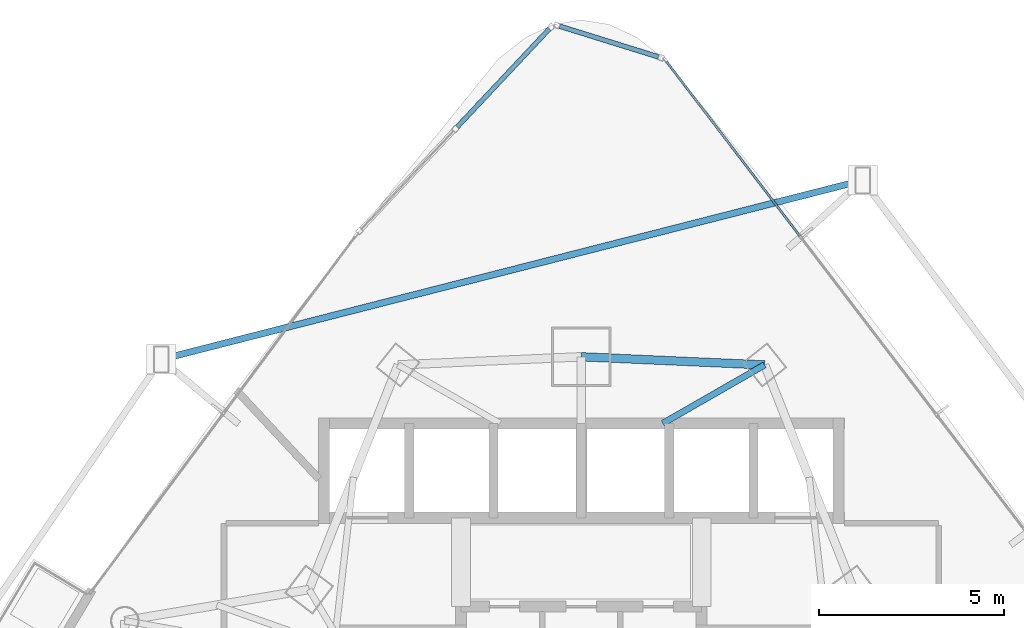
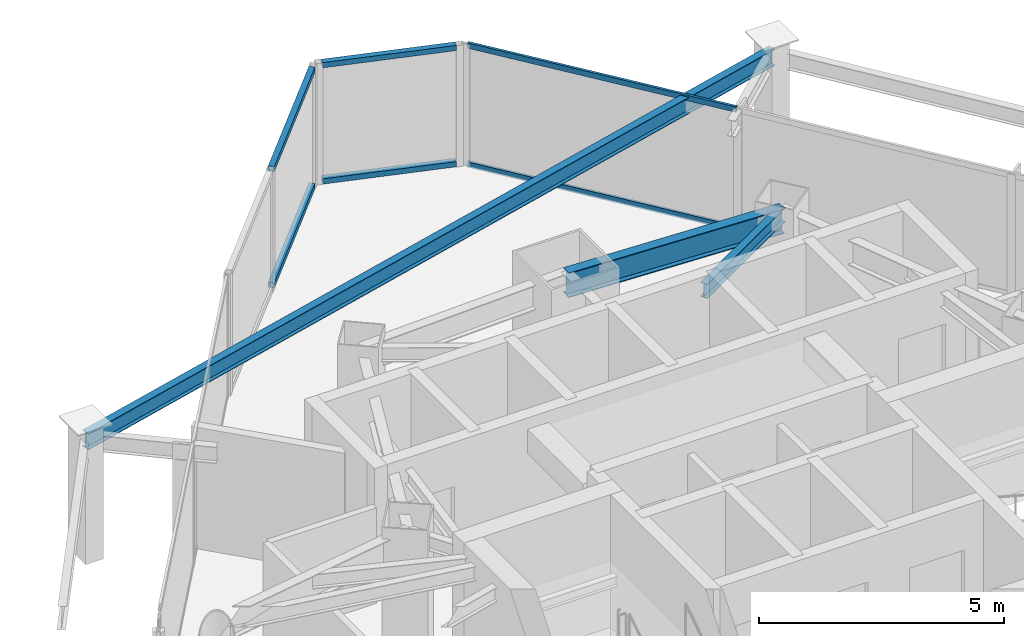
# One storey, part 22 of 33: 6 members, 3 beams, 3 elements without a shape of their own.
"""IFC4 building model written with IfcOpenShell, lengths in metres."""

from ifc_helpers import new_model, si_unit, direction, frame, origin, origin_2d, place, context, subcontext, project, spatial, hollow_rectangle, i_section, extrude, material, layer, layer_set, material_profile, profile_set, type_object, element, aggregate, save


model = new_model("IFC4")

# Units and contexts
model_context = context("Model", 3, precision=1e-05, world=origin(), true_north=direction((0.0, 1.0)))
body_context = subcontext(model_context, "Body", "Model", "MODEL_VIEW")
ifc_project = project(units=[si_unit("LENGTHUNIT", "METRE"), si_unit("AREAUNIT", "SQUARE_METRE"), si_unit("VOLUMEUNIT", "CUBIC_METRE"), si_unit("PLANEANGLEUNIT", "RADIAN"), si_unit("MASSUNIT", "GRAM", prefix="KILO")], contexts=[model_context])

# Site, building, storey
site_placement = place(None, origin())
site = spatial("IfcSite", under=ifc_project, at=site_placement, CompositionType="ELEMENT")
building_placement = place(site_placement, origin())
building = spatial("IfcBuilding", under=site, at=building_placement, Name="Orvanel Arch Residences", CompositionType="ELEMENT")
storey_placement = place(building_placement, frame((0.0, 0.0, 93.949951171875)))
storey = spatial("IfcBuildingStorey", under=building, at=storey_placement, Name="L26", CompositionType="ELEMENT", Elevation=93.949951171875)

# Beams
ifc_material_1 = material(Name="Structural steel AS/NZS 3679.1 Grade 300 (300 MPa)", Category="steel")
ifc_material_profile_1 = material_profile(ifc_material_1, i_section(OverallWidth=0.1708984375, OverallDepth=0.35595703125, WebThickness=0.00732421875, FlangeThickness=0.011474609375, at=origin_2d()), Name="360UB50.7")
ifc_profile_set_1 = profile_set([ifc_material_profile_1], Name="Structural steel AS/NZS 3679.1 Grade 300 (300 MPa)")
beam_type_1 = type_object("IfcBeamType", Name="BJ-360UB", PredefinedType="JOIST", material=ifc_profile_set_1)
beam_1_placement = place(storey_placement, frame((35.199951171875, 39.60009765625, 2.842041015625), z_axis=(0.86736513383, 0.497672306458, 0.0), x_axis=(-0.497672306458, 0.86736513383, 0.0)))
element("IfcBeam", 1, at=beam_1_placement, inside=storey, type_object=beam_type_1, Name="L26 MNE Wing Floor Joist", PredefinedType="JOIST", context=body_context, shape_type="SweptSolid", body=[
    extrude(i_section(OverallWidth=0.1708984375, OverallDepth=0.35595703125, WebThickness=0.00732421875, FlangeThickness=0.011474609375, at=origin_2d()), origin(), (0.0, 0.0, 1.0), 3.17041015625),
])
ifc_material_profile_2 = material_profile(ifc_material_1, i_section(OverallWidth=0.177978515625, OverallDepth=0.406005859375, WebThickness=0.0078125, FlangeThickness=0.0126953125, at=origin_2d()), Name="410UB59.7")
ifc_profile_set_2 = profile_set([ifc_material_profile_2], Name="Structural steel AS/NZS 3679.1 Grade 300 (300 MPa)")
beam_type_2 = type_object("IfcBeamType", Name="OB-410UB-EXT", PredefinedType="SPANDREL", material=ifc_profile_set_2)
beam_2_placement = place(storey_placement, frame((40.595947265625, 46.162109375, 2.817138671875), z_axis=(-0.96892694729, -0.247347065509, 0.0), x_axis=(0.247347065509, -0.96892694729, 0.0)))
element("IfcBeam", 2, at=beam_2_placement, inside=storey, type_object=beam_type_2, Name="L26 Outer Perimeter Floor Ring Beam 12", PredefinedType="SPANDREL", context=body_context, shape_type="SweptSolid", body=[
    extrude(i_section(OverallWidth=0.177978515625, OverallDepth=0.406005859375, WebThickness=0.0078125, FlangeThickness=0.0126953125, at=origin_2d()), origin(), (0.0, 0.0, 1.0), 19.54443359375),
])
ifc_material_profile_3 = material_profile(ifc_material_1, i_section(OverallWidth=0.22900390625, OverallDepth=0.612060546875, WebThickness=0.011962890625, FlangeThickness=0.01953125, at=origin_2d()), Name="610UB125")
ifc_profile_set_3 = profile_set([ifc_material_profile_3], Name="Structural steel AS/NZS 3679.1 Grade 300 (300 MPa)")
beam_type_3 = type_object("IfcBeamType", Name="SP-610UB", PredefinedType="SPANDREL", material=ifc_profile_set_3)
beam_3_placement = place(storey_placement, frame((37.949951171875, 41.177978515625, 2.714111328125), z_axis=(-0.999014049296, 0.044395149614, 0.0), x_axis=(-0.044395149614, -0.999014049296, 0.0)))
element("IfcBeam", 3, at=beam_3_placement, inside=storey, type_object=beam_type_3, Name="L26 Perimeter Spandrel Beam 16", PredefinedType="SPANDREL", context=body_context, shape_type="SweptSolid", body=[
    extrude(i_section(OverallWidth=0.22900390625, OverallDepth=0.612060546875, WebThickness=0.011962890625, FlangeThickness=0.01953125, at=origin_2d()), origin(), (0.0, 0.0, 1.0), 4.954833984375),
])

# Curtain wall, members
ifc_material_2 = material(Name="Bronze-anodised aluminium AA6063-T6", Category="aluminium")
ifc_layer_1 = layer(ifc_material_2, 0.18994140625)
ifc_layer_set_1 = layer_set([ifc_layer_1], Name="Bronze-anodised aluminium AA6063-T6")
curtain_wall_type_1 = type_object("IfcCurtainWallType", Name="CW5-CRN-SYS", PredefinedType="NOTDEFINED", material=ifc_layer_set_1)
curtain_wall_1_placement = place(storey_placement, origin())
curtain_wall_1 = element("IfcCurtainWall", 4, at=curtain_wall_1_placement, inside=storey, type_object=curtain_wall_type_1, Name="L26 CW5-CRN-SYS Unitised Curtain Wall", PredefinedType="NOTDEFINED")
ifc_material_profile_4 = material_profile(ifc_material_2, hollow_rectangle(XDim=0.1298828125, YDim=0.1298828125, WallThickness=0.00439453125, at=origin_2d()), Name="ALU130x130x4.5")
ifc_profile_set_4 = profile_set([ifc_material_profile_4], Name="Bronze-anodised aluminium AA6063-T6")
member_type_1 = type_object("IfcMemberType", Name="TRN-130x130", PredefinedType="USERDEFINED", material=ifc_profile_set_4)
member_1_placement = place(storey_placement, frame((35.079833984375, 49.49658203125, 0.06494140625), z_axis=(-0.954899217261, 0.296930100989, 0.0), x_axis=(-0.296930100989, -0.954899217261, 0.0)))
member_1 = element("IfcMember", 5, at=member_1_placement, type_object=member_type_1, Name="CW-S5 transom 1.1", ObjectType="TRANSOM", PredefinedType="USERDEFINED", context=body_context, shape_type="SweptSolid", body=[
    extrude(hollow_rectangle(XDim=0.1298828125, YDim=0.1298828125, WallThickness=0.00439453125, at=origin_2d()), origin(), (0.0, 0.0, 1.0), 2.79150390625),
])
member_2_placement = place(storey_placement, frame((35.079833984375, 49.49658203125, 2.955078125), z_axis=(-0.954899217261, 0.296930100989, 0.0), x_axis=(-0.296930100989, -0.954899217261, 0.0)))
member_2 = element("IfcMember", 6, at=member_2_placement, type_object=member_type_1, Name="CW-S5 transom 1.2", ObjectType="TRANSOM", PredefinedType="USERDEFINED", context=body_context, shape_type="SweptSolid", body=[
    extrude(hollow_rectangle(XDim=0.1298828125, YDim=0.1298828125, WallThickness=0.00439453125, at=origin_2d()), origin(), (0.0, 0.0, 1.0), 2.79150390625),
])
aggregate(curtain_wall_1, [member_1, member_2])

curtain_wall_2_placement = place(storey_placement, origin())
curtain_wall_2 = element("IfcCurtainWall", 7, at=curtain_wall_2_placement, inside=storey, type_object=curtain_wall_type_1, Name="L26 CW5-CRN-SYS Unitised Curtain Wall", PredefinedType="NOTDEFINED")
member_3_placement = place(storey_placement, frame((32.13525390625, 50.251708984375, 0.06494140625), z_axis=(-0.684647329409, -0.728874498342, 0.0), x_axis=(0.728874498342, -0.684647329409, 0.0)))
member_3 = element("IfcMember", 8, at=member_3_placement, type_object=member_type_1, Name="CW-S5 transom 1.1", ObjectType="TRANSOM", PredefinedType="USERDEFINED", context=body_context, shape_type="SweptSolid", body=[
    extrude(hollow_rectangle(XDim=0.1298828125, YDim=0.1298828125, WallThickness=0.00439453125, at=origin_2d()), origin(), (0.0, 0.0, 1.0), 3.63232421875),
])
member_4_placement = place(storey_placement, frame((32.13525390625, 50.251708984375, 2.955078125), z_axis=(-0.684647329409, -0.728874498342, 0.0), x_axis=(0.728874498342, -0.684647329409, 0.0)))
member_4 = element("IfcMember", 9, at=member_4_placement, type_object=member_type_1, Name="CW-S5 transom 1.2", ObjectType="TRANSOM", PredefinedType="USERDEFINED", context=body_context, shape_type="SweptSolid", body=[
    extrude(hollow_rectangle(XDim=0.1298828125, YDim=0.1298828125, WallThickness=0.00439453125, at=origin_2d()), origin(), (0.0, 0.0, 1.0), 3.63232421875),
])
aggregate(curtain_wall_2, [member_3, member_4])

ifc_layer_2 = layer(ifc_material_2, 0.179931640625)
ifc_layer_set_2 = layer_set([ifc_layer_2], Name="Bronze-anodised aluminium AA6063-T6")
curtain_wall_type_2 = type_object("IfcCurtainWallType", Name="CW2-LOW-SYS", PredefinedType="NOTDEFINED", material=ifc_layer_set_2)
curtain_wall_3_placement = place(storey_placement, origin())
curtain_wall_3 = element("IfcCurtainWall", 10, at=curtain_wall_3_placement, inside=storey, type_object=curtain_wall_type_2, Name="L26 CW2-LOW-SYS Unitised Curtain Wall", PredefinedType="NOTDEFINED")
ifc_material_profile_5 = material_profile(ifc_material_2, hollow_rectangle(XDim=0.06005859375, YDim=0.135009765625, WallThickness=0.00390625, at=origin_2d()), Name="ALU135x60x4")
ifc_profile_set_5 = profile_set([ifc_material_profile_5], Name="Bronze-anodised aluminium AA6063-T6")
member_type_2 = type_object("IfcMemberType", Name="TRN-135x60", PredefinedType="USERDEFINED", material=ifc_profile_set_5)
member_5_placement = place(storey_placement, frame((38.899658203125, 44.6611328125, 0.030029296875), z_axis=(-0.607329428327, 0.794450102579, 0.0), x_axis=(-0.794450102579, -0.607329428327, 0.0)))
member_5 = element("IfcMember", 11, at=member_5_placement, type_object=member_type_2, Name="CW-S2 transom 3.1", ObjectType="TRANSOM", PredefinedType="USERDEFINED", context=body_context, shape_type="SweptSolid", body=[
    extrude(hollow_rectangle(XDim=0.06005859375, YDim=0.135009765625, WallThickness=0.00390625, at=origin_2d()), origin(), (0.0, 0.0, 1.0), 5.9326171875),
])
member_6_placement = place(storey_placement, frame((38.899658203125, 44.6611328125, 2.989990234375), z_axis=(-0.607329428327, 0.794450102579, 0.0), x_axis=(-0.794450102579, -0.607329428327, 0.0)))
member_6 = element("IfcMember", 12, at=member_6_placement, type_object=member_type_2, Name="CW-S2 transom 3.2", ObjectType="TRANSOM", PredefinedType="USERDEFINED", context=body_context, shape_type="SweptSolid", body=[
    extrude(hollow_rectangle(XDim=0.06005859375, YDim=0.135009765625, WallThickness=0.00390625, at=origin_2d()), origin(), (0.0, 0.0, 1.0), 5.9326171875),
])
aggregate(curtain_wall_3, [member_5, member_6])

save(model, "model.ifc")
